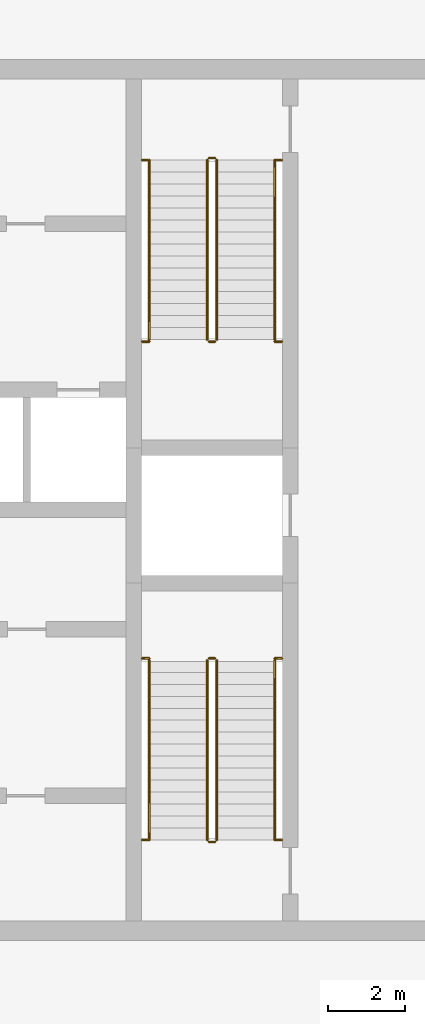
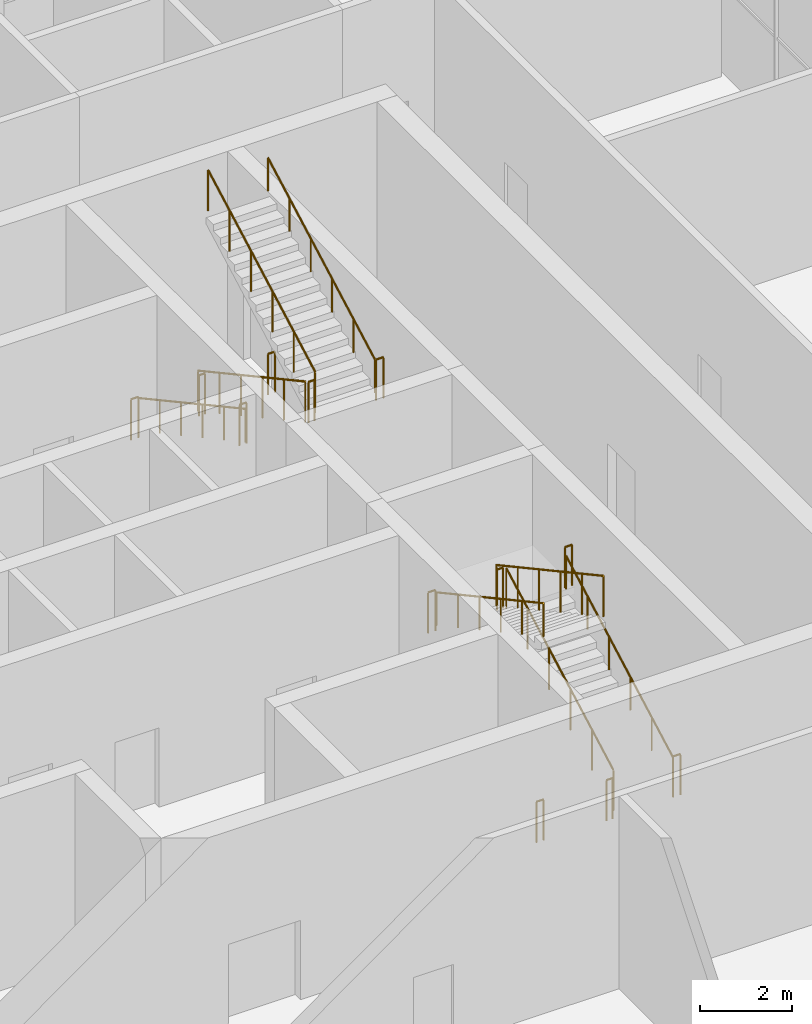
# One storey, part 15 of 15: 20 railings.
"""IFC4 building model written with IfcOpenShell, lengths in metres."""

from ifc_helpers import new_model, si_unit, direction, frame, origin, origin_2d, place, context, subcontext, project, spatial, circle, extrude, material, type_object, element, save


model = new_model("IFC4")

# Units and contexts
model_context = context("Model", 3, precision=1e-05, world=origin(), true_north=direction((0.0, 1.0)))
body_context = subcontext(model_context, "Body", "Model", "MODEL_VIEW")
ifc_project = project(units=[si_unit("LENGTHUNIT", "METRE"), si_unit("AREAUNIT", "SQUARE_METRE"), si_unit("VOLUMEUNIT", "CUBIC_METRE"), si_unit("PLANEANGLEUNIT", "RADIAN"), si_unit("MASSUNIT", "GRAM", prefix="KILO")], contexts=[model_context])

# Site, building, storey
site_placement = place(None, origin())
site = spatial("IfcSite", under=ifc_project, at=site_placement, CompositionType="ELEMENT")
building_placement = place(site_placement, origin())
building = spatial("IfcBuilding", under=site, at=building_placement, Name="Madar Terraces", CompositionType="ELEMENT")
storey_placement = place(building_placement, frame((0.0, 0.0, 286.10009765625)))
storey = spatial("IfcBuildingStorey", under=building, at=storey_placement, Name="L75", CompositionType="ELEMENT", Elevation=286.10009765625)

# Railings
ifc_material_1 = material(Name="Stainless steel railing", Category="steel")
railing_type_1 = type_object("IfcRailingType", Name="Stair guard 1100", PredefinedType="GUARDRAIL", material=ifc_material_1)
railing_1_placement = place(storey_placement, frame((41.199951171875, 35.199951171875, 0.168701171875)))
element("IfcRailing", 1, at=railing_1_placement, inside=storey, type_object=railing_type_1, Name="L75 ST2 stair guard 1", PredefinedType="GUARDRAIL", context=body_context, shape_type="SweptSolid", body=[
    extrude(circle(Radius=0.02392578125, at=origin_2d()), frame((0.0, 0.0, 1.076171875), z_axis=(0.0, -0.878297076953, 0.478115304728), x_axis=(1.0, 0.0, 0.0)), (0.0, 0.0, 1.0), 5.294189453125),
    extrude(circle(Radius=0.02099609375, at=origin_2d()), origin(), (0.0, 0.0, 1.0), 1.052001953125),
    extrude(circle(Radius=0.02099609375, at=origin_2d()), frame((0.0, -0.929931640625, 0.50634765625)), (0.0, 0.0, 1.0), 1.052001953125),
    extrude(circle(Radius=0.02099609375, at=origin_2d()), frame((0.0, -1.85986328125, 1.012451171875)), (0.0, 0.0, 1.0), 1.052001953125),
    extrude(circle(Radius=0.02099609375, at=origin_2d()), frame((0.0, -2.7900390625, 1.518798828125)), (0.0, 0.0, 1.0), 1.052001953125),
    extrude(circle(Radius=0.02099609375, at=origin_2d()), frame((0.0, -3.719970703125, 2.02490234375)), (0.0, 0.0, 1.0), 1.052001953125),
    extrude(circle(Radius=0.02099609375, at=origin_2d()), frame((0.0, -4.64990234375, 2.53125)), (0.0, 0.0, 1.0), 1.052001953125),
])
railing_2_placement = place(storey_placement, frame((41.25, 30.5, 2.699951171875)))
element("IfcRailing", 2, at=railing_2_placement, inside=storey, type_object=railing_type_1, Name="L75 ST2 stair guard 2", PredefinedType="GUARDRAIL", context=body_context, shape_type="SweptSolid", body=[
    extrude(circle(Radius=0.02392578125, at=origin_2d()), frame((0.0, 0.0, 1.076171875), z_axis=(1.0, 0.0, 0.0), x_axis=(0.0, 1.0, 0.0)), (0.0, 0.0, 1.0), 0.14990234375),
    extrude(circle(Radius=0.02099609375, at=origin_2d()), origin(), (0.0, 0.0, 1.0), 1.052001953125),
    extrude(circle(Radius=0.02099609375, at=origin_2d()), frame((0.14990234375, 0.0, 0.0)), (0.0, 0.0, 1.0), 1.052001953125),
])
railing_3_placement = place(storey_placement, frame((41.449951171875, 30.550048828125, 2.86865234375)))
element("IfcRailing", 3, at=railing_3_placement, inside=storey, type_object=railing_type_1, Name="L75 ST2 stair guard 3", PredefinedType="GUARDRAIL", context=body_context, shape_type="SweptSolid", body=[
    extrude(circle(Radius=0.02392578125, at=origin_2d()), frame((0.0, 0.0, 1.076171875), z_axis=(0.0, 0.878297076953, 0.478115304728), x_axis=(-1.0, 0.0, 0.0)), (0.0, 0.0, 1.0), 5.294189453125),
    extrude(circle(Radius=0.02099609375, at=origin_2d()), origin(), (0.0, 0.0, 1.0), 1.052001953125),
    extrude(circle(Radius=0.02099609375, at=origin_2d()), frame((0.0, 0.929931640625, 0.50634765625)), (0.0, 0.0, 1.0), 1.052001953125),
    extrude(circle(Radius=0.02099609375, at=origin_2d()), frame((0.0, 1.85986328125, 1.012451171875)), (0.0, 0.0, 1.0), 1.052001953125),
    extrude(circle(Radius=0.02099609375, at=origin_2d()), frame((0.0, 2.7900390625, 1.518798828125)), (0.0, 0.0, 1.0), 1.052001953125),
    extrude(circle(Radius=0.02099609375, at=origin_2d()), frame((0.0, 3.719970703125, 2.02490234375)), (0.0, 0.0, 1.0), 1.052001953125),
    extrude(circle(Radius=0.02099609375, at=origin_2d()), frame((0.0, 4.64990234375, 2.53125)), (0.0, 0.0, 1.0), 1.052001953125),
])
railing_4_placement = place(storey_placement, frame((41.25, 35.25, 0.0)))
element("IfcRailing", 4, at=railing_4_placement, inside=storey, type_object=railing_type_1, Name="L75 ST2 stair guard 4", PredefinedType="GUARDRAIL", context=body_context, shape_type="SweptSolid", body=[
    extrude(circle(Radius=0.02392578125, at=origin_2d()), frame((0.0, 0.0, 1.076171875), z_axis=(1.0, 0.0, 0.0), x_axis=(0.0, 1.0, 0.0)), (0.0, 0.0, 1.0), 0.14990234375),
    extrude(circle(Radius=0.02099609375, at=origin_2d()), origin(), (0.0, 0.0, 1.0), 1.052001953125),
    extrude(circle(Radius=0.02099609375, at=origin_2d()), frame((0.14990234375, 0.0, 0.0)), (0.0, 0.0, 1.0), 1.052001953125),
])
railing_5_placement = place(storey_placement, frame((41.449951171875, 17.60009765625, 0.168701171875)))
element("IfcRailing", 5, at=railing_5_placement, inside=storey, type_object=railing_type_1, Name="L75 ST3 stair guard 1", PredefinedType="GUARDRAIL", context=body_context, shape_type="SweptSolid", body=[
    extrude(circle(Radius=0.02392578125, at=origin_2d()), frame((0.0, 0.0, 1.076171875), z_axis=(0.0, 0.878297076953, 0.478115304728), x_axis=(-1.0, 0.0, 0.0)), (0.0, 0.0, 1.0), 5.294189453125),
    extrude(circle(Radius=0.02099609375, at=origin_2d()), origin(), (0.0, 0.0, 1.0), 1.052001953125),
    extrude(circle(Radius=0.02099609375, at=origin_2d()), frame((0.0, 0.929931640625, 0.50634765625)), (0.0, 0.0, 1.0), 1.052001953125),
    extrude(circle(Radius=0.02099609375, at=origin_2d()), frame((0.0, 1.85986328125, 1.012451171875)), (0.0, 0.0, 1.0), 1.052001953125),
    extrude(circle(Radius=0.02099609375, at=origin_2d()), frame((0.0, 2.7900390625, 1.518798828125)), (0.0, 0.0, 1.0), 1.052001953125),
    extrude(circle(Radius=0.02099609375, at=origin_2d()), frame((0.0, 3.719970703125, 2.02490234375)), (0.0, 0.0, 1.0), 1.052001953125),
    extrude(circle(Radius=0.02099609375, at=origin_2d()), frame((0.0, 4.64990234375, 2.53125)), (0.0, 0.0, 1.0), 1.052001953125),
])
railing_6_placement = place(storey_placement, frame((41.39990234375, 22.300048828125, 2.699951171875)))
element("IfcRailing", 6, at=railing_6_placement, inside=storey, type_object=railing_type_1, Name="L75 ST3 stair guard 2", PredefinedType="GUARDRAIL", context=body_context, shape_type="SweptSolid", body=[
    extrude(circle(Radius=0.02392578125, at=origin_2d()), frame((0.0, 0.0, 1.076171875), z_axis=(-1.0, 0.0, 0.0), x_axis=(0.0, -1.0, 0.0)), (0.0, 0.0, 1.0), 0.14990234375),
    extrude(circle(Radius=0.02099609375, at=origin_2d()), origin(), (0.0, 0.0, 1.0), 1.052001953125),
    extrude(circle(Radius=0.02099609375, at=origin_2d()), frame((-0.14990234375, 0.0, 0.0)), (0.0, 0.0, 1.0), 1.052001953125),
])
railing_7_placement = place(storey_placement, frame((41.199951171875, 22.25, 2.86865234375)))
element("IfcRailing", 7, at=railing_7_placement, inside=storey, type_object=railing_type_1, Name="L75 ST3 stair guard 3", PredefinedType="GUARDRAIL", context=body_context, shape_type="SweptSolid", body=[
    extrude(circle(Radius=0.02392578125, at=origin_2d()), frame((0.0, 0.0, 1.076171875), z_axis=(0.0, -0.878297076953, 0.478115304728), x_axis=(1.0, 0.0, 0.0)), (0.0, 0.0, 1.0), 5.294189453125),
    extrude(circle(Radius=0.02099609375, at=origin_2d()), origin(), (0.0, 0.0, 1.0), 1.052001953125),
    extrude(circle(Radius=0.02099609375, at=origin_2d()), frame((0.0, -0.929931640625, 0.50634765625)), (0.0, 0.0, 1.0), 1.052001953125),
    extrude(circle(Radius=0.02099609375, at=origin_2d()), frame((0.0, -1.85986328125, 1.012451171875)), (0.0, 0.0, 1.0), 1.052001953125),
    extrude(circle(Radius=0.02099609375, at=origin_2d()), frame((0.0, -2.7900390625, 1.518798828125)), (0.0, 0.0, 1.0), 1.052001953125),
    extrude(circle(Radius=0.02099609375, at=origin_2d()), frame((0.0, -3.719970703125, 2.02490234375)), (0.0, 0.0, 1.0), 1.052001953125),
    extrude(circle(Radius=0.02099609375, at=origin_2d()), frame((0.0, -4.64990234375, 2.53125)), (0.0, 0.0, 1.0), 1.052001953125),
])
railing_8_placement = place(storey_placement, frame((41.39990234375, 17.550048828125, 0.0)))
element("IfcRailing", 8, at=railing_8_placement, inside=storey, type_object=railing_type_1, Name="L75 ST3 stair guard 4", PredefinedType="GUARDRAIL", context=body_context, shape_type="SweptSolid", body=[
    extrude(circle(Radius=0.02392578125, at=origin_2d()), frame((0.0, 0.0, 1.076171875), z_axis=(-1.0, 0.0, 0.0), x_axis=(0.0, -1.0, 0.0)), (0.0, 0.0, 1.0), 0.14990234375),
    extrude(circle(Radius=0.02099609375, at=origin_2d()), origin(), (0.0, 0.0, 1.0), 1.052001953125),
    extrude(circle(Radius=0.02099609375, at=origin_2d()), frame((-0.14990234375, 0.0, 0.0)), (0.0, 0.0, 1.0), 1.052001953125),
])
for number, where, name in (
    (9, (39.52001953125, 30.5, 2.699951171875), "L75 stair guard seat 1"),
    (10, (42.949951171875, 30.5, 2.699951171875), "L75 stair guard seat 2"),
    (11, (39.52001953125, 22.300048828125, 2.699951171875), "L75 stair guard seat 1"),
    (12, (42.949951171875, 22.300048828125, 2.699951171875), "L75 stair guard seat 2"),
    (13, (39.52001953125, 35.199951171875, 0.0), "L75 stair guard floor 1"),
    (14, (42.949951171875, 35.199951171875, 0.0), "L75 stair guard floor 2"),
    (15, (39.52001953125, 17.60009765625, 0.0), "L75 stair guard floor 1"),
    (16, (42.949951171875, 17.60009765625, 0.0), "L75 stair guard floor 2"),
):
    element("IfcRailing", number, at=place(storey_placement, frame(where)), inside=storey, type_object=railing_type_1, Name=name, PredefinedType="GUARDRAIL", context=body_context, shape_type="SweptSolid", body=[
        extrude(circle(Radius=0.02392578125, at=origin_2d()), frame((0.0, 0.0, 1.076171875), z_axis=(1.0, 0.0, 0.0), x_axis=(0.0, 1.0, 0.0)), (0.0, 0.0, 1.0), 0.179931640625),
        extrude(circle(Radius=0.02099609375, at=origin_2d()), origin(), (0.0, 0.0, 1.0), 1.052001953125),
        extrude(circle(Radius=0.02099609375, at=origin_2d()), frame((0.179931640625, 0.0, 0.0)), (0.0, 0.0, 1.0), 1.052001953125),
    ])
ifc_material_2 = material(Name="Stainless steel railing", Category="steel")
railing_type_2 = type_object("IfcRailingType", Name="Stair handrail 900", PredefinedType="HANDRAIL", material=ifc_material_2)
railing_9_placement = place(storey_placement, frame((39.699951171875, 35.199951171875, 0.168701171875)))
element("IfcRailing", 17, at=railing_9_placement, inside=storey, type_object=railing_type_2, Name="L75 ST2 stair handrail 1", PredefinedType="HANDRAIL", context=body_context, shape_type="SweptSolid", body=[
    extrude(circle(Radius=0.02392578125, at=origin_2d()), frame((0.0, 0.0, 0.8759765625), z_axis=(0.0, -0.878297076953, 0.478115304728), x_axis=(1.0, 0.0, 0.0)), (0.0, 0.0, 1.0), 5.294189453125),
    extrude(circle(Radius=0.02099609375, at=origin_2d()), origin(), (0.0, 0.0, 1.0), 0.851806640625),
    extrude(circle(Radius=0.02099609375, at=origin_2d()), frame((0.0, -0.929931640625, 0.50634765625)), (0.0, 0.0, 1.0), 0.851806640625),
    extrude(circle(Radius=0.02099609375, at=origin_2d()), frame((0.0, -1.85986328125, 1.012451171875)), (0.0, 0.0, 1.0), 0.851806640625),
    extrude(circle(Radius=0.02099609375, at=origin_2d()), frame((0.0, -2.7900390625, 1.518798828125)), (0.0, 0.0, 1.0), 0.851806640625),
    extrude(circle(Radius=0.02099609375, at=origin_2d()), frame((0.0, -3.719970703125, 2.02490234375)), (0.0, 0.0, 1.0), 0.851806640625),
    extrude(circle(Radius=0.02099609375, at=origin_2d()), frame((0.0, -4.64990234375, 2.53125)), (0.0, 0.0, 1.0), 0.851806640625),
])
for number, where, name in (
    (18, (42.949951171875, 30.550048828125, 2.86865234375), "L75 ST2 stair handrail 2"),
    (19, (42.949951171875, 17.60009765625, 0.168701171875), "L75 ST3 stair handrail 1"),
):
    element("IfcRailing", number, at=place(storey_placement, frame(where)), inside=storey, type_object=railing_type_2, Name=name, PredefinedType="HANDRAIL", context=body_context, shape_type="SweptSolid", body=[
        extrude(circle(Radius=0.02392578125, at=origin_2d()), frame((0.0, 0.0, 0.8759765625), z_axis=(0.0, 0.878297076953, 0.478115304728), x_axis=(-1.0, 0.0, 0.0)), (0.0, 0.0, 1.0), 5.294189453125),
        extrude(circle(Radius=0.02099609375, at=origin_2d()), origin(), (0.0, 0.0, 1.0), 0.851806640625),
        extrude(circle(Radius=0.02099609375, at=origin_2d()), frame((0.0, 0.929931640625, 0.50634765625)), (0.0, 0.0, 1.0), 0.851806640625),
        extrude(circle(Radius=0.02099609375, at=origin_2d()), frame((0.0, 1.85986328125, 1.012451171875)), (0.0, 0.0, 1.0), 0.851806640625),
        extrude(circle(Radius=0.02099609375, at=origin_2d()), frame((0.0, 2.7900390625, 1.518798828125)), (0.0, 0.0, 1.0), 0.851806640625),
        extrude(circle(Radius=0.02099609375, at=origin_2d()), frame((0.0, 3.719970703125, 2.02490234375)), (0.0, 0.0, 1.0), 0.851806640625),
        extrude(circle(Radius=0.02099609375, at=origin_2d()), frame((0.0, 4.64990234375, 2.53125)), (0.0, 0.0, 1.0), 0.851806640625),
    ])
railing_10_placement = place(storey_placement, frame((39.699951171875, 22.25, 2.86865234375)))
element("IfcRailing", 20, at=railing_10_placement, inside=storey, type_object=railing_type_2, Name="L75 ST3 stair handrail 2", PredefinedType="HANDRAIL", context=body_context, shape_type="SweptSolid", body=[
    extrude(circle(Radius=0.02392578125, at=origin_2d()), frame((0.0, 0.0, 0.8759765625), z_axis=(0.0, -0.878297076953, 0.478115304728), x_axis=(1.0, 0.0, 0.0)), (0.0, 0.0, 1.0), 5.294189453125),
    extrude(circle(Radius=0.02099609375, at=origin_2d()), origin(), (0.0, 0.0, 1.0), 0.851806640625),
    extrude(circle(Radius=0.02099609375, at=origin_2d()), frame((0.0, -0.929931640625, 0.50634765625)), (0.0, 0.0, 1.0), 0.851806640625),
    extrude(circle(Radius=0.02099609375, at=origin_2d()), frame((0.0, -1.85986328125, 1.012451171875)), (0.0, 0.0, 1.0), 0.851806640625),
    extrude(circle(Radius=0.02099609375, at=origin_2d()), frame((0.0, -2.7900390625, 1.518798828125)), (0.0, 0.0, 1.0), 0.851806640625),
    extrude(circle(Radius=0.02099609375, at=origin_2d()), frame((0.0, -3.719970703125, 2.02490234375)), (0.0, 0.0, 1.0), 0.851806640625),
    extrude(circle(Radius=0.02099609375, at=origin_2d()), frame((0.0, -4.64990234375, 2.53125)), (0.0, 0.0, 1.0), 0.851806640625),
])

save(model, "model.ifc")
